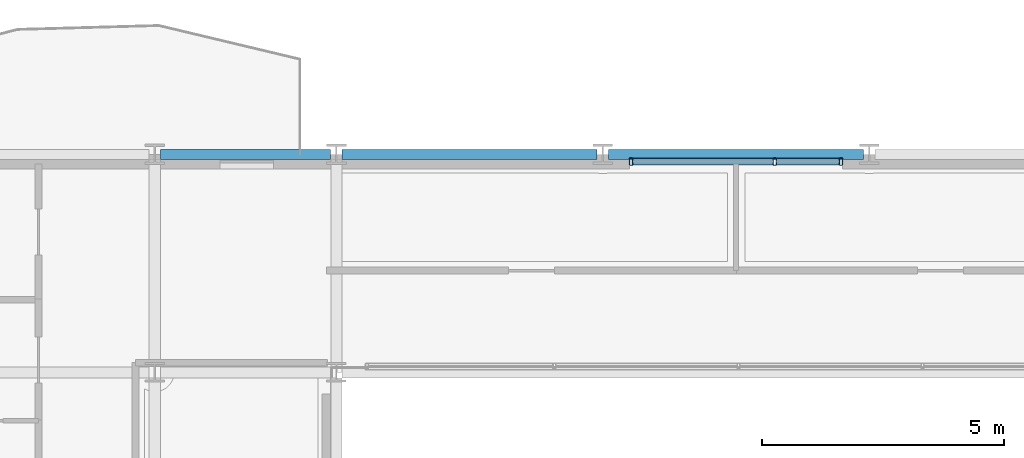
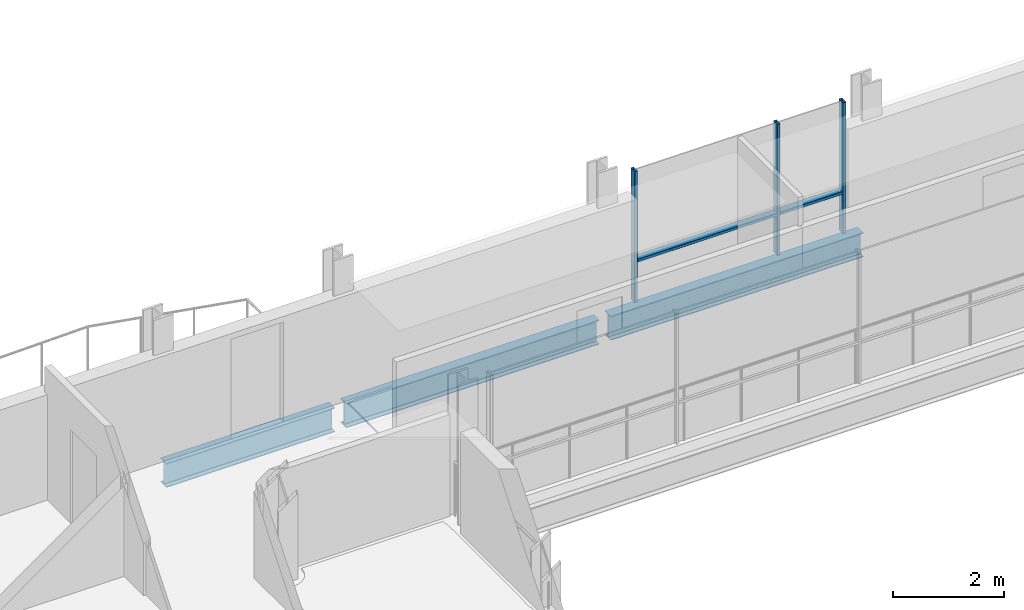
# One storey, part 24 of 41: 5 members, 3 beams, 1 element without a shape of its own.
"""IFC4 building model written with IfcOpenShell, lengths in metres."""

from ifc_helpers import new_model, si_unit, direction, frame, origin, origin_2d, place, context, subcontext, project, spatial, hollow_rectangle, i_section, extrude, material, layer, layer_set, material_profile, profile_set, type_object, element, aggregate, save


model = new_model("IFC4")

# Units and contexts
model_context = context("Model", 3, precision=1e-05, world=origin(), true_north=direction((0.0, 1.0)))
body_context = subcontext(model_context, "Body", "Model", "MODEL_VIEW")
ifc_project = project(units=[si_unit("LENGTHUNIT", "METRE"), si_unit("AREAUNIT", "SQUARE_METRE"), si_unit("VOLUMEUNIT", "CUBIC_METRE"), si_unit("PLANEANGLEUNIT", "RADIAN"), si_unit("MASSUNIT", "GRAM", prefix="KILO")], contexts=[model_context])

# Site, building, storey
site_placement = place(None, origin())
site = spatial("IfcSite", under=ifc_project, at=site_placement, CompositionType="ELEMENT")
building_placement = place(site_placement, origin())
building = spatial("IfcBuilding", under=site, at=building_placement, Name="Brevholm Reach", CompositionType="ELEMENT")
storey_placement = place(building_placement, frame((0.0, 0.0, 157.300048828125)))
storey = spatial("IfcBuildingStorey", under=building, at=storey_placement, Name="L47", CompositionType="ELEMENT", Elevation=157.300048828125)

# Beams
ifc_material_1 = material(Name="Structural Steel S355J2", Category="steel")
ifc_material_profile_1 = material_profile(ifc_material_1, i_section(OverallWidth=0.209228515625, OverallDepth=0.533203125, WebThickness=0.010009765625, FlangeThickness=0.015625, FilletRadius=0.0126953125, at=origin_2d()), Name="UKB 533x210x92")
ifc_profile_set_1 = profile_set([ifc_material_profile_1], Name="Structural Steel S355J2")
beam_type = type_object("IfcBeamType", Name="BM-SP533", PredefinedType="SPANDREL", material=ifc_profile_set_1)
beam_placement = place(storey_placement, frame((18.1201171875, 31.0, -0.486572265625), z_axis=(1.0, 0.0, 0.0), x_axis=(0.0, 1.0, 0.0)))
element("IfcBeam", 1, at=beam_placement, inside=storey, type_object=beam_type, Name="L47 SP-02 Framing Beam", PredefinedType="SPANDREL", context=body_context, shape_type="SweptSolid", body=[
    extrude(i_section(OverallWidth=0.209228515625, OverallDepth=0.533203125, WebThickness=0.010009765625, FlangeThickness=0.015625, FilletRadius=0.0126953125, at=origin_2d()), origin(), (0.0, 0.0, 1.0), 3.509765625),
])
for number, where, z_axis, x_axis, name in (
    (2, (21.8701171875, 31.0, -0.486572265625), (1.0, 0.0, 0.0), (0.0, 1.0, 0.0), "L47 SP-02 Framing Beam"),
    (3, (27.3701171875, 31.0, -0.486572265625), (1.0, 0.0, 0.0), (0.0, 1.0, 0.0), "L47 SP-02 Framing Beam"),
):
    element("IfcBeam", number, at=place(storey_placement, frame(where, z_axis=z_axis, x_axis=x_axis)), inside=storey, type_object=beam_type, Name=name, PredefinedType="SPANDREL", context=body_context, shape_type="SweptSolid", body=[
        extrude(i_section(OverallWidth=0.209228515625, OverallDepth=0.533203125, WebThickness=0.010009765625, FlangeThickness=0.015625, FilletRadius=0.0126953125, at=origin_2d()), origin(), (0.0, 0.0, 1.0), 5.259765625),
    ])

# Curtain wall, members
ifc_material_2 = material(Name="Dark Anodised Aluminium 6063-T6 and Solar-Control Glass", Category="aluminium")
ifc_layer = layer(ifc_material_2, 0.14990234375)
ifc_layer_set = layer_set([ifc_layer], Name="Dark Anodised Aluminium 6063-T6 and Solar-Control Glass")
curtain_wall_type = type_object("IfcCurtainWallType", Name="CW-01", PredefinedType="NOTDEFINED", material=ifc_layer_set)
curtain_wall_placement = place(storey_placement, origin())
curtain_wall = element("IfcCurtainWall", 4, at=curtain_wall_placement, inside=storey, type_object=curtain_wall_type, Name="L47 Curtain Wall CW-01", PredefinedType="NOTDEFINED")
ifc_material_3 = material(Name="Dark Anodised Aluminium 6063-T6", Category="aluminium")
ifc_material_profile_2 = material_profile(ifc_material_3, hollow_rectangle(XDim=0.06494140625, YDim=0.14990234375, WallThickness=0.0048828125, InnerFilletRadius=0.0048828125, OuterFilletRadius=0.010009765625, at=origin_2d()), Name="RHS 150x65x5")
ifc_profile_set_2 = profile_set([ifc_material_profile_2], Name="Dark Anodised Aluminium 6063-T6")
member_type_1 = type_object("IfcMemberType", Name="CWM-150", PredefinedType="MULLION", material=ifc_profile_set_2)
member_1_placement = place(storey_placement, frame((27.83251953125, 30.85009765625, 0.0), z_axis=(0.0, 0.0, 1.0), x_axis=(1.0, 0.0, 0.0)))
member_1 = element("IfcMember", 5, at=member_1_placement, type_object=member_type_1, Name="CM-150 Mullion 1", PredefinedType="MULLION", context=body_context, shape_type="SweptSolid", body=[
    extrude(hollow_rectangle(XDim=0.06494140625, YDim=0.14990234375, WallThickness=0.0048828125, InnerFilletRadius=0.0048828125, OuterFilletRadius=0.010009765625, at=origin_2d()), origin(), (0.0, 0.0, 1.0), 2.8798828125),
])
member_2_placement = place(storey_placement, frame((30.800048828125, 30.85009765625, 0.0), z_axis=(0.0, 0.0, 1.0), x_axis=(1.0, 0.0, 0.0)))
member_2 = element("IfcMember", 6, at=member_2_placement, type_object=member_type_1, Name="CM-150 Mullion 2", PredefinedType="MULLION", context=body_context, shape_type="SweptSolid", body=[
    extrude(hollow_rectangle(XDim=0.06494140625, YDim=0.14990234375, WallThickness=0.0048828125, InnerFilletRadius=0.0048828125, OuterFilletRadius=0.010009765625, at=origin_2d()), origin(), (0.0, 0.0, 1.0), 2.8798828125),
])
member_3_placement = place(storey_placement, frame((32.16748046875, 30.85009765625, 0.0), z_axis=(0.0, 0.0, 1.0), x_axis=(1.0, 0.0, 0.0)))
member_3 = element("IfcMember", 7, at=member_3_placement, type_object=member_type_1, Name="CM-150 Mullion 3", PredefinedType="MULLION", context=body_context, shape_type="SweptSolid", body=[
    extrude(hollow_rectangle(XDim=0.06494140625, YDim=0.14990234375, WallThickness=0.0048828125, InnerFilletRadius=0.0048828125, OuterFilletRadius=0.010009765625, at=origin_2d()), origin(), (0.0, 0.0, 1.0), 2.8798828125),
])
ifc_material_4 = material(Name="Dark Anodised Aluminium 6063-T6", Category="aluminium")
ifc_material_profile_3 = material_profile(ifc_material_4, hollow_rectangle(XDim=0.06494140625, YDim=0.14990234375, WallThickness=0.0048828125, InnerFilletRadius=0.0048828125, OuterFilletRadius=0.010009765625, at=origin_2d()), Name="RHS 150x65x5")
ifc_profile_set_3 = profile_set([ifc_material_profile_3], Name="Dark Anodised Aluminium 6063-T6")
member_type_2 = type_object("IfcMemberType", Name="CWT-150", PredefinedType="NOTDEFINED", material=ifc_profile_set_3)
member_4_placement = place(storey_placement, frame((27.864990234375, 30.85009765625, 0.89990234375), z_axis=(1.0, 0.0, 0.0), x_axis=(0.0, 0.0, 1.0)))
member_4 = element("IfcMember", 8, at=member_4_placement, type_object=member_type_2, Name="CT-150 Transom 1.1", ObjectType="TRANSOM", PredefinedType="USERDEFINED", context=body_context, shape_type="SweptSolid", body=[
    extrude(hollow_rectangle(XDim=0.06494140625, YDim=0.14990234375, WallThickness=0.0048828125, InnerFilletRadius=0.0048828125, OuterFilletRadius=0.010009765625, at=origin_2d()), origin(), (0.0, 0.0, 1.0), 2.902587890625),
])
member_5_placement = place(storey_placement, frame((30.83251953125, 30.85009765625, 0.89990234375), z_axis=(1.0, 0.0, 0.0), x_axis=(0.0, 0.0, 1.0)))
member_5 = element("IfcMember", 9, at=member_5_placement, type_object=member_type_2, Name="CT-150 Transom 2.1", ObjectType="TRANSOM", PredefinedType="USERDEFINED", context=body_context, shape_type="SweptSolid", body=[
    extrude(hollow_rectangle(XDim=0.06494140625, YDim=0.14990234375, WallThickness=0.0048828125, InnerFilletRadius=0.0048828125, OuterFilletRadius=0.010009765625, at=origin_2d()), origin(), (0.0, 0.0, 1.0), 1.302490234375),
])
aggregate(curtain_wall, [member_1, member_2, member_3, member_4, member_5])

save(model, "model.ifc")
